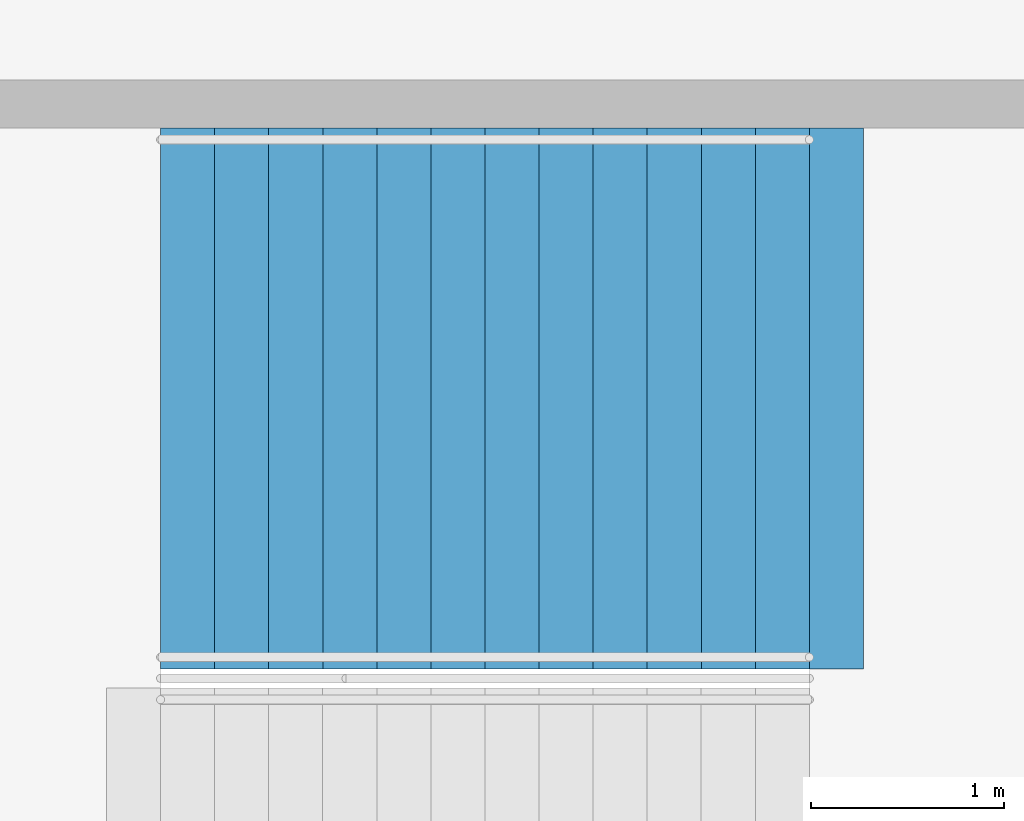
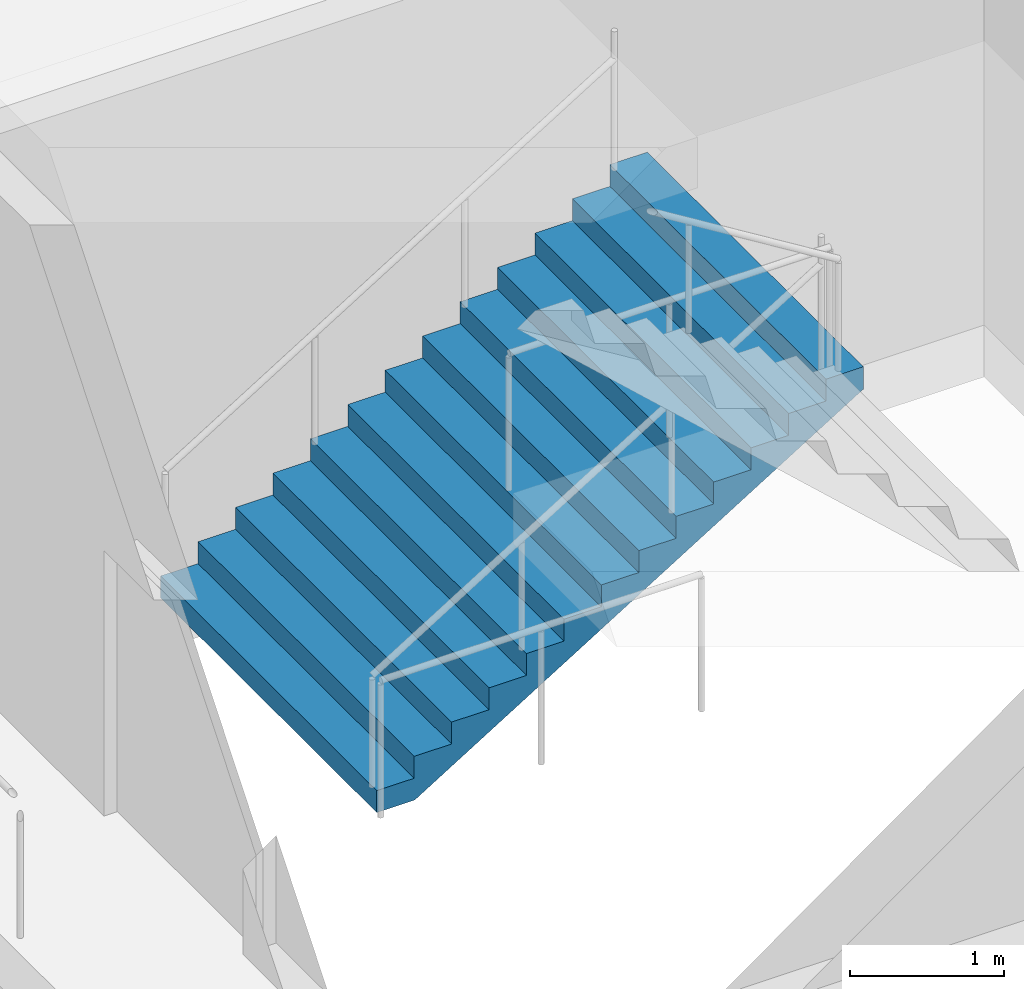
# One storey, part 130 of 177: 1 stair flight, 1 element without a shape of its own.
"""IFC4 building model written with IfcOpenShell, lengths in metres."""

from ifc_helpers import new_model, si_unit, direction, frame, origin, place, context, subcontext, project, spatial, faceted_brep, material, type_object, element, aggregate, save


model = new_model("IFC4")

# Units and contexts
model_context = context("Model", 3, precision=1e-05, world=origin(), true_north=direction((0.0, 1.0)))
body_context = subcontext(model_context, "Body", "Model", "MODEL_VIEW")
ifc_project = project(units=[si_unit("LENGTHUNIT", "METRE"), si_unit("AREAUNIT", "SQUARE_METRE"), si_unit("VOLUMEUNIT", "CUBIC_METRE"), si_unit("PLANEANGLEUNIT", "RADIAN"), si_unit("MASSUNIT", "GRAM", prefix="KILO")], contexts=[model_context])

# Site, building, storey
site_placement = place(None, origin())
site = spatial("IfcSite", under=ifc_project, at=site_placement, CompositionType="ELEMENT")
building_placement = place(site_placement, origin())
building = spatial("IfcBuilding", under=site, at=building_placement, Name="Ogive Plaza Stadium", CompositionType="ELEMENT")
storey_placement = place(building_placement, frame((0.0, 0.0, 18.0)))
storey = spatial("IfcBuildingStorey", under=building, at=storey_placement, Name="L04", CompositionType="ELEMENT", Elevation=18.0)

# Stair, stair flight
ifc_material_1 = material(Name="Concrete C40/50", Category="concrete")
stair_type = type_object("IfcStairType", Name="Exit stair", PredefinedType="STRAIGHT_RUN_STAIR", material=ifc_material_1)
stair_placement = place(storey_placement, origin())
stair = element("IfcStair", 1, at=stair_placement, inside=storey, type_object=stair_type, Name="Exit stair ST04B L04 to L05", PredefinedType="STRAIGHT_RUN_STAIR")
ifc_material_2 = material(Name="Concrete C40/50", Category="concrete")
stair_flight_type = type_object("IfcStairFlightType", Name="Exit stair flight", PredefinedType="STRAIGHT", material=ifc_material_2)
stair_flight_placement = place(storey_placement, frame((76.35009765625, 11.925048828125, 0.0), z_axis=(0.0, 0.0, 1.0), x_axis=(1.0, 0.0, 0.0)))
stair_flight = element("IfcStairFlight", 2, at=stair_flight_placement, type_object=stair_flight_type, Name="ST04B flight 1", NumberOfRisers=13, NumberOfTreads=12, PredefinedType="STRAIGHT", RiserHeight=0.173076923, TreadLength=0.28, context=body_context, shape_type="Brep", body=[
    faceted_brep([(0.28515625, -1.39990234375, 0.0), (3.639892578125, -1.39990234375, 2.07373046875), (3.639892578125, -1.39990234375, 2.25), (3.360107421875, -1.39990234375, 2.25), (3.360107421875, -1.39990234375, 2.076904296875), (3.080078125, -1.39990234375, 2.076904296875), (3.080078125, -1.39990234375, 1.90380859375), (2.800048828125, -1.39990234375, 1.90380859375), (2.800048828125, -1.39990234375, 1.730712890625), (2.52001953125, -1.39990234375, 1.730712890625), (2.52001953125, -1.39990234375, 1.5576171875), (2.239990234375, -1.39990234375, 1.5576171875), (2.239990234375, -1.39990234375, 1.384521484375), (1.9599609375, -1.39990234375, 1.384521484375), (1.9599609375, -1.39990234375, 1.21142578125), (1.679931640625, -1.39990234375, 1.21142578125), (1.679931640625, -1.39990234375, 1.03857421875), (1.39990234375, -1.39990234375, 1.03857421875), (1.39990234375, -1.39990234375, 0.865478515625), (1.1201171875, -1.39990234375, 0.865478515625), (1.1201171875, -1.39990234375, 0.6923828125), (0.840087890625, -1.39990234375, 0.6923828125), (0.840087890625, -1.39990234375, 0.519287109375), (0.56005859375, -1.39990234375, 0.519287109375), (0.56005859375, -1.39990234375, 0.34619140625), (0.280029296875, -1.39990234375, 0.34619140625), (0.280029296875, -1.39990234375, 0.173095703125), (0.0, -1.39990234375, 0.173095703125), (0.0, -1.39990234375, 0.0), (0.0, 1.39990234375, 0.0), (0.0, 1.39990234375, 0.173095703125), (0.280029296875, 1.39990234375, 0.173095703125), (0.280029296875, 1.39990234375, 0.34619140625), (0.56005859375, 1.39990234375, 0.34619140625), (0.56005859375, 1.39990234375, 0.519287109375), (0.840087890625, 1.39990234375, 0.519287109375), (0.840087890625, 1.39990234375, 0.6923828125), (1.1201171875, 1.39990234375, 0.6923828125), (1.1201171875, 1.39990234375, 0.865478515625), (1.39990234375, 1.39990234375, 0.865478515625), (1.39990234375, 1.39990234375, 1.03857421875), (1.679931640625, 1.39990234375, 1.03857421875), (1.679931640625, 1.39990234375, 1.21142578125), (1.9599609375, 1.39990234375, 1.21142578125), (1.9599609375, 1.39990234375, 1.384521484375), (2.239990234375, 1.39990234375, 1.384521484375), (2.239990234375, 1.39990234375, 1.5576171875), (2.52001953125, 1.39990234375, 1.5576171875), (2.52001953125, 1.39990234375, 1.730712890625), (2.800048828125, 1.39990234375, 1.730712890625), (2.800048828125, 1.39990234375, 1.90380859375), (3.080078125, 1.39990234375, 1.90380859375), (3.080078125, 1.39990234375, 2.076904296875), (3.360107421875, 1.39990234375, 2.076904296875), (3.360107421875, 1.39990234375, 2.25), (3.639892578125, 1.39990234375, 2.25), (3.639892578125, 1.39990234375, 2.07373046875), (0.28515625, 1.39990234375, 0.0), (0.28515625, -1.0888671875, 0.0), (3.639892578125, -1.0888671875, 2.07373046875), (0.28515625, -0.77783203125, 0.0), (3.639892578125, -0.77783203125, 2.07373046875), (0.28515625, -0.466796875, 0.0), (3.639892578125, -0.466796875, 2.07373046875), (0.28515625, -0.155517578125, 0.0), (3.639892578125, -0.155517578125, 2.07373046875), (0.28515625, 0.155517578125, 0.0), (3.639892578125, 0.155517578125, 2.07373046875), (0.28515625, 0.466796875, 0.0), (3.639892578125, 0.466796875, 2.07373046875), (0.28515625, 0.77783203125, 0.0), (3.639892578125, 0.77783203125, 2.07373046875), (0.28515625, 1.0888671875, 0.0), (3.639892578125, 1.0888671875, 2.07373046875), (3.639892578125, -1.0888671875, 2.25), (3.639892578125, -0.77783203125, 2.25), (3.639892578125, -0.466796875, 2.25), (3.639892578125, -0.155517578125, 2.25), (3.639892578125, 0.155517578125, 2.25), (3.639892578125, 0.466796875, 2.25), (3.639892578125, 0.77783203125, 2.25), (3.639892578125, 1.0888671875, 2.25), (3.360107421875, -1.0888671875, 2.25), (3.360107421875, -0.77783203125, 2.25), (3.360107421875, -0.466796875, 2.25), (3.360107421875, -0.155517578125, 2.25), (3.360107421875, 0.155517578125, 2.25), (3.360107421875, 0.466796875, 2.25), (3.360107421875, 0.77783203125, 2.25), (3.360107421875, 1.0888671875, 2.25), (3.360107421875, -1.0888671875, 2.076904296875), (3.360107421875, -0.77783203125, 2.076904296875), (3.360107421875, -0.466796875, 2.076904296875), (3.360107421875, -0.155517578125, 2.076904296875), (3.360107421875, 0.155517578125, 2.076904296875), (3.360107421875, 0.466796875, 2.076904296875), (3.360107421875, 0.77783203125, 2.076904296875), (3.360107421875, 1.0888671875, 2.076904296875), (3.080078125, -1.0888671875, 2.076904296875), (3.080078125, -0.77783203125, 2.076904296875), (3.080078125, -0.466796875, 2.076904296875), (3.080078125, -0.155517578125, 2.076904296875), (3.080078125, 0.155517578125, 2.076904296875), (3.080078125, 0.466796875, 2.076904296875), (3.080078125, 0.77783203125, 2.076904296875), (3.080078125, 1.0888671875, 2.076904296875), (3.080078125, -1.0888671875, 1.90380859375), (3.080078125, -0.77783203125, 1.90380859375), (3.080078125, -0.466796875, 1.90380859375), (3.080078125, -0.155517578125, 1.90380859375), (3.080078125, 0.155517578125, 1.90380859375), (3.080078125, 0.466796875, 1.90380859375), (3.080078125, 0.77783203125, 1.90380859375), (3.080078125, 1.0888671875, 1.90380859375), (2.800048828125, -1.0888671875, 1.90380859375), (2.800048828125, -0.77783203125, 1.90380859375), (2.800048828125, -0.466796875, 1.90380859375), (2.800048828125, -0.155517578125, 1.90380859375), (2.800048828125, 0.155517578125, 1.90380859375), (2.800048828125, 0.466796875, 1.90380859375), (2.800048828125, 0.77783203125, 1.90380859375), (2.800048828125, 1.0888671875, 1.90380859375), (2.800048828125, -1.0888671875, 1.730712890625), (2.800048828125, -0.77783203125, 1.730712890625), (2.800048828125, -0.466796875, 1.730712890625), (2.800048828125, -0.155517578125, 1.730712890625), (2.800048828125, 0.155517578125, 1.730712890625), (2.800048828125, 0.466796875, 1.730712890625), (2.800048828125, 0.77783203125, 1.730712890625), (2.800048828125, 1.0888671875, 1.730712890625), (2.52001953125, -1.0888671875, 1.730712890625), (2.52001953125, -0.77783203125, 1.730712890625), (2.52001953125, -0.466796875, 1.730712890625), (2.52001953125, -0.155517578125, 1.730712890625), (2.52001953125, 0.155517578125, 1.730712890625), (2.52001953125, 0.466796875, 1.730712890625), (2.52001953125, 0.77783203125, 1.730712890625), (2.52001953125, 1.0888671875, 1.730712890625), (2.52001953125, -1.0888671875, 1.5576171875), (2.52001953125, -0.77783203125, 1.5576171875), (2.52001953125, -0.466796875, 1.5576171875), (2.52001953125, -0.155517578125, 1.5576171875), (2.52001953125, 0.155517578125, 1.5576171875), (2.52001953125, 0.466796875, 1.5576171875), (2.52001953125, 0.77783203125, 1.5576171875), (2.52001953125, 1.0888671875, 1.5576171875), (2.239990234375, -1.0888671875, 1.5576171875), (2.239990234375, -0.77783203125, 1.5576171875), (2.239990234375, -0.466796875, 1.5576171875), (2.239990234375, -0.155517578125, 1.5576171875), (2.239990234375, 0.155517578125, 1.5576171875), (2.239990234375, 0.466796875, 1.5576171875), (2.239990234375, 0.77783203125, 1.5576171875), (2.239990234375, 1.0888671875, 1.5576171875), (2.239990234375, -1.0888671875, 1.384521484375), (2.239990234375, -0.77783203125, 1.384521484375), (2.239990234375, -0.466796875, 1.384521484375), (2.239990234375, -0.155517578125, 1.384521484375), (2.239990234375, 0.155517578125, 1.384521484375), (2.239990234375, 0.466796875, 1.384521484375), (2.239990234375, 0.77783203125, 1.384521484375), (2.239990234375, 1.0888671875, 1.384521484375), (1.9599609375, -1.0888671875, 1.384521484375), (1.9599609375, -0.77783203125, 1.384521484375), (1.9599609375, -0.466796875, 1.384521484375), (1.9599609375, -0.155517578125, 1.384521484375), (1.9599609375, 0.155517578125, 1.384521484375), (1.9599609375, 0.466796875, 1.384521484375), (1.9599609375, 0.77783203125, 1.384521484375), (1.9599609375, 1.0888671875, 1.384521484375), (1.9599609375, -1.0888671875, 1.21142578125), (1.9599609375, -0.77783203125, 1.21142578125), (1.9599609375, -0.466796875, 1.21142578125), (1.9599609375, -0.155517578125, 1.21142578125), (1.9599609375, 0.155517578125, 1.21142578125), (1.9599609375, 0.466796875, 1.21142578125), (1.9599609375, 0.77783203125, 1.21142578125), (1.9599609375, 1.0888671875, 1.21142578125), (1.679931640625, -1.0888671875, 1.21142578125), (1.679931640625, -0.77783203125, 1.21142578125), (1.679931640625, -0.466796875, 1.21142578125), (1.679931640625, -0.155517578125, 1.21142578125), (1.679931640625, 0.155517578125, 1.21142578125), (1.679931640625, 0.466796875, 1.21142578125), (1.679931640625, 0.77783203125, 1.21142578125), (1.679931640625, 1.0888671875, 1.21142578125), (1.679931640625, -1.0888671875, 1.03857421875), (1.679931640625, -0.77783203125, 1.03857421875), (1.679931640625, -0.466796875, 1.03857421875), (1.679931640625, -0.155517578125, 1.03857421875), (1.679931640625, 0.155517578125, 1.03857421875), (1.679931640625, 0.466796875, 1.03857421875), (1.679931640625, 0.77783203125, 1.03857421875), (1.679931640625, 1.0888671875, 1.03857421875), (1.39990234375, -1.0888671875, 1.03857421875), (1.39990234375, -0.77783203125, 1.03857421875), (1.39990234375, -0.466796875, 1.03857421875), (1.39990234375, -0.155517578125, 1.03857421875), (1.39990234375, 0.155517578125, 1.03857421875), (1.39990234375, 0.466796875, 1.03857421875), (1.39990234375, 0.77783203125, 1.03857421875), (1.39990234375, 1.0888671875, 1.03857421875), (1.39990234375, -1.0888671875, 0.865478515625), (1.39990234375, -0.77783203125, 0.865478515625), (1.39990234375, -0.466796875, 0.865478515625), (1.39990234375, -0.155517578125, 0.865478515625), (1.39990234375, 0.155517578125, 0.865478515625), (1.39990234375, 0.466796875, 0.865478515625), (1.39990234375, 0.77783203125, 0.865478515625), (1.39990234375, 1.0888671875, 0.865478515625), (1.1201171875, -1.0888671875, 0.865478515625), (1.1201171875, -0.77783203125, 0.865478515625), (1.1201171875, -0.466796875, 0.865478515625), (1.1201171875, -0.155517578125, 0.865478515625), (1.1201171875, 0.155517578125, 0.865478515625), (1.1201171875, 0.466796875, 0.865478515625), (1.1201171875, 0.77783203125, 0.865478515625), (1.1201171875, 1.0888671875, 0.865478515625), (1.1201171875, -1.0888671875, 0.6923828125), (1.1201171875, -0.77783203125, 0.6923828125), (1.1201171875, -0.466796875, 0.6923828125), (1.1201171875, -0.155517578125, 0.6923828125), (1.1201171875, 0.155517578125, 0.6923828125), (1.1201171875, 0.466796875, 0.6923828125), (1.1201171875, 0.77783203125, 0.6923828125), (1.1201171875, 1.0888671875, 0.6923828125), (0.840087890625, -1.0888671875, 0.6923828125), (0.840087890625, -0.77783203125, 0.6923828125), (0.840087890625, -0.466796875, 0.6923828125), (0.840087890625, -0.155517578125, 0.6923828125), (0.840087890625, 0.155517578125, 0.6923828125), (0.840087890625, 0.466796875, 0.6923828125), (0.840087890625, 0.77783203125, 0.6923828125), (0.840087890625, 1.0888671875, 0.6923828125), (0.840087890625, -1.0888671875, 0.519287109375), (0.840087890625, -0.77783203125, 0.519287109375), (0.840087890625, -0.466796875, 0.519287109375), (0.840087890625, -0.155517578125, 0.519287109375), (0.840087890625, 0.155517578125, 0.519287109375), (0.840087890625, 0.466796875, 0.519287109375), (0.840087890625, 0.77783203125, 0.519287109375), (0.840087890625, 1.0888671875, 0.519287109375), (0.56005859375, -1.0888671875, 0.519287109375), (0.56005859375, -0.77783203125, 0.519287109375), (0.56005859375, -0.466796875, 0.519287109375), (0.56005859375, -0.155517578125, 0.519287109375), (0.56005859375, 0.155517578125, 0.519287109375), (0.56005859375, 0.466796875, 0.519287109375), (0.56005859375, 0.77783203125, 0.519287109375), (0.56005859375, 1.0888671875, 0.519287109375), (0.56005859375, -1.0888671875, 0.34619140625), (0.56005859375, -0.77783203125, 0.34619140625), (0.56005859375, -0.466796875, 0.34619140625), (0.56005859375, -0.155517578125, 0.34619140625), (0.56005859375, 0.155517578125, 0.34619140625), (0.56005859375, 0.466796875, 0.34619140625), (0.56005859375, 0.77783203125, 0.34619140625), (0.56005859375, 1.0888671875, 0.34619140625), (0.280029296875, -1.0888671875, 0.34619140625), (0.280029296875, -0.77783203125, 0.34619140625), (0.280029296875, -0.466796875, 0.34619140625), (0.280029296875, -0.155517578125, 0.34619140625), (0.280029296875, 0.155517578125, 0.34619140625), (0.280029296875, 0.466796875, 0.34619140625), (0.280029296875, 0.77783203125, 0.34619140625), (0.280029296875, 1.0888671875, 0.34619140625), (0.280029296875, -1.0888671875, 0.173095703125), (0.280029296875, -0.77783203125, 0.173095703125), (0.280029296875, -0.466796875, 0.173095703125), (0.280029296875, -0.155517578125, 0.173095703125), (0.280029296875, 0.155517578125, 0.173095703125), (0.280029296875, 0.466796875, 0.173095703125), (0.280029296875, 0.77783203125, 0.173095703125), (0.280029296875, 1.0888671875, 0.173095703125), (0.0, -1.0888671875, 0.173095703125), (0.0, -0.77783203125, 0.173095703125), (0.0, -0.466796875, 0.173095703125), (0.0, -0.155517578125, 0.173095703125), (0.0, 0.155517578125, 0.173095703125), (0.0, 0.466796875, 0.173095703125), (0.0, 0.77783203125, 0.173095703125), (0.0, 1.0888671875, 0.173095703125), (0.0, -1.0888671875, 0.0), (0.0, -0.77783203125, 0.0), (0.0, -0.466796875, 0.0), (0.0, -0.155517578125, 0.0), (0.0, 0.155517578125, 0.0), (0.0, 0.466796875, 0.0), (0.0, 0.77783203125, 0.0), (0.0, 1.0888671875, 0.0)], [[[0, 1, 2, 3, 4, 5, 6, 7, 8, 9, 10, 11, 12, 13, 14, 15, 16, 17, 18, 19, 20, 21, 22, 23, 24, 25, 26, 27, 28]], [[29, 30, 31, 32, 33, 34, 35, 36, 37, 38, 39, 40, 41, 42, 43, 44, 45, 46, 47, 48, 49, 50, 51, 52, 53, 54, 55, 56, 57]], [[0, 58, 59, 1]], [[58, 60, 61, 59]], [[60, 62, 63, 61]], [[62, 64, 65, 63]], [[64, 66, 67, 65]], [[66, 68, 69, 67]], [[68, 70, 71, 69]], [[70, 72, 73, 71]], [[72, 57, 56, 73]], [[1, 59, 74, 2]], [[59, 61, 75, 74]], [[61, 63, 76, 75]], [[63, 65, 77, 76]], [[65, 67, 78, 77]], [[67, 69, 79, 78]], [[69, 71, 80, 79]], [[71, 73, 81, 80]], [[73, 56, 55, 81]], [[2, 74, 82, 3]], [[74, 75, 83, 82]], [[75, 76, 84, 83]], [[76, 77, 85, 84]], [[77, 78, 86, 85]], [[78, 79, 87, 86]], [[79, 80, 88, 87]], [[80, 81, 89, 88]], [[81, 55, 54, 89]], [[3, 82, 90, 4]], [[82, 83, 91, 90]], [[83, 84, 92, 91]], [[84, 85, 93, 92]], [[85, 86, 94, 93]], [[86, 87, 95, 94]], [[87, 88, 96, 95]], [[88, 89, 97, 96]], [[89, 54, 53, 97]], [[4, 90, 98, 5]], [[90, 91, 99, 98]], [[91, 92, 100, 99]], [[92, 93, 101, 100]], [[93, 94, 102, 101]], [[94, 95, 103, 102]], [[95, 96, 104, 103]], [[96, 97, 105, 104]], [[97, 53, 52, 105]], [[5, 98, 106, 6]], [[98, 99, 107, 106]], [[99, 100, 108, 107]], [[100, 101, 109, 108]], [[101, 102, 110, 109]], [[102, 103, 111, 110]], [[103, 104, 112, 111]], [[104, 105, 113, 112]], [[105, 52, 51, 113]], [[6, 106, 114, 7]], [[106, 107, 115, 114]], [[107, 108, 116, 115]], [[108, 109, 117, 116]], [[109, 110, 118, 117]], [[110, 111, 119, 118]], [[111, 112, 120, 119]], [[112, 113, 121, 120]], [[113, 51, 50, 121]], [[7, 114, 122, 8]], [[114, 115, 123, 122]], [[115, 116, 124, 123]], [[116, 117, 125, 124]], [[117, 118, 126, 125]], [[118, 119, 127, 126]], [[119, 120, 128, 127]], [[120, 121, 129, 128]], [[121, 50, 49, 129]], [[8, 122, 130, 9]], [[122, 123, 131, 130]], [[123, 124, 132, 131]], [[124, 125, 133, 132]], [[125, 126, 134, 133]], [[126, 127, 135, 134]], [[127, 128, 136, 135]], [[128, 129, 137, 136]], [[129, 49, 48, 137]], [[9, 130, 138, 10]], [[130, 131, 139, 138]], [[131, 132, 140, 139]], [[132, 133, 141, 140]], [[133, 134, 142, 141]], [[134, 135, 143, 142]], [[135, 136, 144, 143]], [[136, 137, 145, 144]], [[137, 48, 47, 145]], [[10, 138, 146, 11]], [[138, 139, 147, 146]], [[139, 140, 148, 147]], [[140, 141, 149, 148]], [[141, 142, 150, 149]], [[142, 143, 151, 150]], [[143, 144, 152, 151]], [[144, 145, 153, 152]], [[145, 47, 46, 153]], [[11, 146, 154, 12]], [[146, 147, 155, 154]], [[147, 148, 156, 155]], [[148, 149, 157, 156]], [[149, 150, 158, 157]], [[150, 151, 159, 158]], [[151, 152, 160, 159]], [[152, 153, 161, 160]], [[153, 46, 45, 161]], [[12, 154, 162, 13]], [[154, 155, 163, 162]], [[155, 156, 164, 163]], [[156, 157, 165, 164]], [[157, 158, 166, 165]], [[158, 159, 167, 166]], [[159, 160, 168, 167]], [[160, 161, 169, 168]], [[161, 45, 44, 169]], [[13, 162, 170, 14]], [[162, 163, 171, 170]], [[163, 164, 172, 171]], [[164, 165, 173, 172]], [[165, 166, 174, 173]], [[166, 167, 175, 174]], [[167, 168, 176, 175]], [[168, 169, 177, 176]], [[169, 44, 43, 177]], [[14, 170, 178, 15]], [[170, 171, 179, 178]], [[171, 172, 180, 179]], [[172, 173, 181, 180]], [[173, 174, 182, 181]], [[174, 175, 183, 182]], [[175, 176, 184, 183]], [[176, 177, 185, 184]], [[177, 43, 42, 185]], [[15, 178, 186, 16]], [[178, 179, 187, 186]], [[179, 180, 188, 187]], [[180, 181, 189, 188]], [[181, 182, 190, 189]], [[182, 183, 191, 190]], [[183, 184, 192, 191]], [[184, 185, 193, 192]], [[185, 42, 41, 193]], [[16, 186, 194, 17]], [[186, 187, 195, 194]], [[187, 188, 196, 195]], [[188, 189, 197, 196]], [[189, 190, 198, 197]], [[190, 191, 199, 198]], [[191, 192, 200, 199]], [[192, 193, 201, 200]], [[193, 41, 40, 201]], [[17, 194, 202, 18]], [[194, 195, 203, 202]], [[195, 196, 204, 203]], [[196, 197, 205, 204]], [[197, 198, 206, 205]], [[198, 199, 207, 206]], [[199, 200, 208, 207]], [[200, 201, 209, 208]], [[201, 40, 39, 209]], [[18, 202, 210, 19]], [[202, 203, 211, 210]], [[203, 204, 212, 211]], [[204, 205, 213, 212]], [[205, 206, 214, 213]], [[206, 207, 215, 214]], [[207, 208, 216, 215]], [[208, 209, 217, 216]], [[209, 39, 38, 217]], [[19, 210, 218, 20]], [[210, 211, 219, 218]], [[211, 212, 220, 219]], [[212, 213, 221, 220]], [[213, 214, 222, 221]], [[214, 215, 223, 222]], [[215, 216, 224, 223]], [[216, 217, 225, 224]], [[217, 38, 37, 225]], [[20, 218, 226, 21]], [[218, 219, 227, 226]], [[219, 220, 228, 227]], [[220, 221, 229, 228]], [[221, 222, 230, 229]], [[222, 223, 231, 230]], [[223, 224, 232, 231]], [[224, 225, 233, 232]], [[225, 37, 36, 233]], [[21, 226, 234, 22]], [[226, 227, 235, 234]], [[227, 228, 236, 235]], [[228, 229, 237, 236]], [[229, 230, 238, 237]], [[230, 231, 239, 238]], [[231, 232, 240, 239]], [[232, 233, 241, 240]], [[233, 36, 35, 241]], [[22, 234, 242, 23]], [[234, 235, 243, 242]], [[235, 236, 244, 243]], [[236, 237, 245, 244]], [[237, 238, 246, 245]], [[238, 239, 247, 246]], [[239, 240, 248, 247]], [[240, 241, 249, 248]], [[241, 35, 34, 249]], [[23, 242, 250, 24]], [[242, 243, 251, 250]], [[243, 244, 252, 251]], [[244, 245, 253, 252]], [[245, 246, 254, 253]], [[246, 247, 255, 254]], [[247, 248, 256, 255]], [[248, 249, 257, 256]], [[249, 34, 33, 257]], [[24, 250, 258, 25]], [[250, 251, 259, 258]], [[251, 252, 260, 259]], [[252, 253, 261, 260]], [[253, 254, 262, 261]], [[254, 255, 263, 262]], [[255, 256, 264, 263]], [[256, 257, 265, 264]], [[257, 33, 32, 265]], [[25, 258, 266, 26]], [[258, 259, 267, 266]], [[259, 260, 268, 267]], [[260, 261, 269, 268]], [[261, 262, 270, 269]], [[262, 263, 271, 270]], [[263, 264, 272, 271]], [[264, 265, 273, 272]], [[265, 32, 31, 273]], [[26, 266, 274, 27]], [[266, 267, 275, 274]], [[267, 268, 276, 275]], [[268, 269, 277, 276]], [[269, 270, 278, 277]], [[270, 271, 279, 278]], [[271, 272, 280, 279]], [[272, 273, 281, 280]], [[273, 31, 30, 281]], [[27, 274, 282, 28]], [[274, 275, 283, 282]], [[275, 276, 284, 283]], [[276, 277, 285, 284]], [[277, 278, 286, 285]], [[278, 279, 287, 286]], [[279, 280, 288, 287]], [[280, 281, 289, 288]], [[281, 30, 29, 289]], [[28, 282, 58, 0]], [[282, 283, 60, 58]], [[283, 284, 62, 60]], [[284, 285, 64, 62]], [[285, 286, 66, 64]], [[286, 287, 68, 66]], [[287, 288, 70, 68]], [[288, 289, 72, 70]], [[289, 29, 57, 72]]]),
])
aggregate(stair, [stair_flight])

save(model, "model.ifc")
